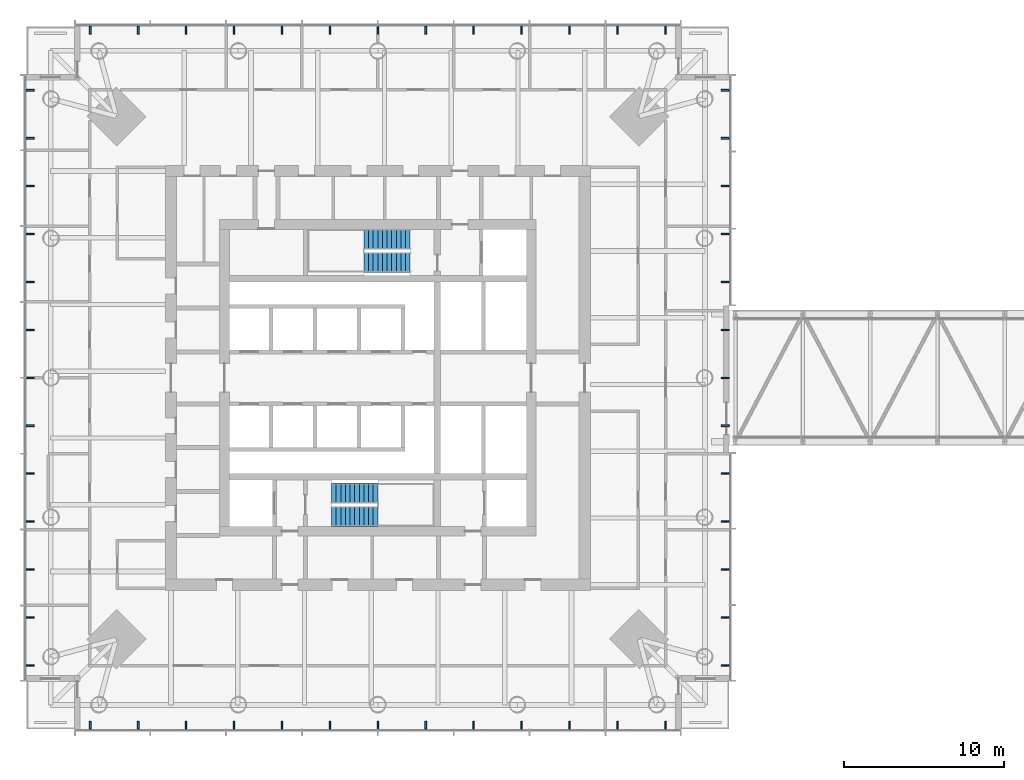
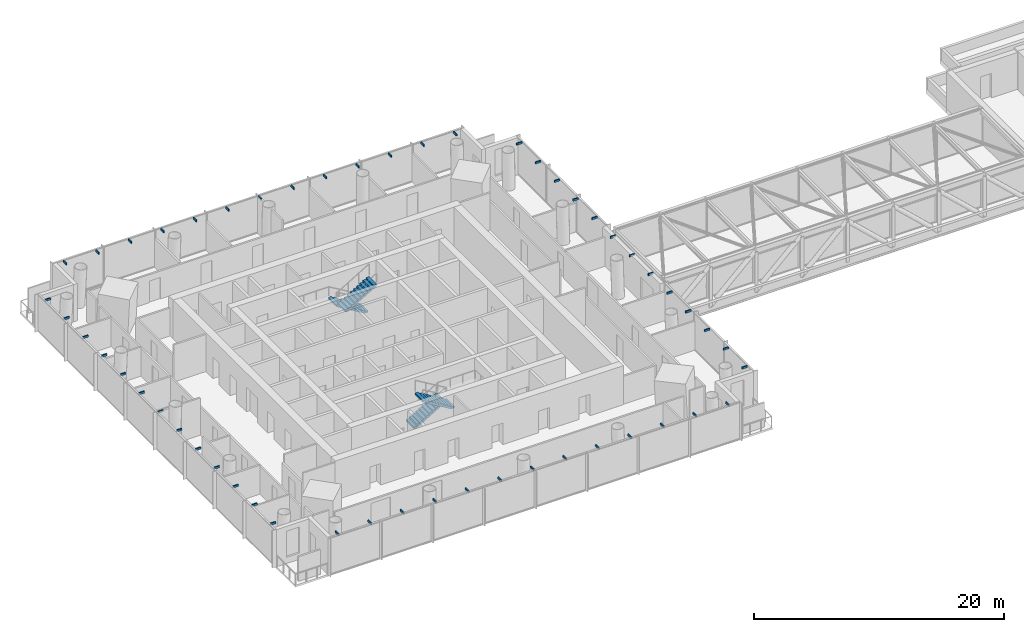
# One storey, part 18 of 19: 52 discrete accessories, 4 stair flights, 2 elements without a shape of their own.
"""IFC4 building model written with IfcOpenShell, lengths in metres."""

from ifc_helpers import new_model, si_unit, direction, frame, origin, origin_2d, place, context, subcontext, project, spatial, polyline, rectangle, outline, extrude, material, type_object, element, aggregate, save


model = new_model("IFC4")

# Units and contexts
model_context = context("Model", 3, precision=1e-05, world=origin(), true_north=direction((0.0, 1.0)))
body_context = subcontext(model_context, "Body", "Model", "MODEL_VIEW")
ifc_project = project(units=[si_unit("LENGTHUNIT", "METRE"), si_unit("AREAUNIT", "SQUARE_METRE"), si_unit("VOLUMEUNIT", "CUBIC_METRE"), si_unit("PLANEANGLEUNIT", "RADIAN"), si_unit("MASSUNIT", "GRAM", prefix="KILO")], contexts=[model_context])

# Site, building, storey
site_placement = place(None, origin())
site = spatial("IfcSite", under=ifc_project, at=site_placement, CompositionType="ELEMENT")
building_placement = place(site_placement, origin())
building = spatial("IfcBuilding", under=site, at=building_placement, Name="Ostroluk Exchange", CompositionType="ELEMENT")
storey_placement = place(building_placement, frame((0.0, 0.0, 131.199951171875)))
storey = spatial("IfcBuildingStorey", under=building, at=storey_placement, Name="L33", CompositionType="ELEMENT", Elevation=131.199951171875)

# Stair, stair flights
ifc_material_1 = material(Name="Concrete C30/37", Category="concrete")
stair_type = type_object("IfcStairType", Name="Exit stair half turn 3800", PredefinedType="HALF_TURN_STAIR", material=ifc_material_1)
stair_1_placement = place(storey_placement, origin())
stair_1 = element("IfcStair", 1, at=stair_1_placement, inside=storey, type_object=stair_type, Name="Stair T1-S1 L33", PredefinedType="HALF_TURN_STAIR")
ifc_material_2 = material(Name="Concrete C30/37", Category="concrete")
stair_flight_type = type_object("IfcStairFlightType", Name="Stair flight 11 risers 172.7 x 290", PredefinedType="STRAIGHT", material=ifc_material_2)
stair_flight_1_placement = place(storey_placement, frame((42.10009765625, 38.77490234375, 0.0), z_axis=(0.0, 0.0, 1.0), x_axis=(1.0, 0.0, 0.0)))
stair_flight_1 = element("IfcStairFlight", 2, at=stair_flight_1_placement, type_object=stair_flight_type, Name="T1-S1 flight 1", NumberOfRisers=11, NumberOfTreads=10, PredefinedType="STRAIGHT", RiserHeight=0.172727273, TreadLength=0.29, context=body_context, shape_type="SweptSolid", body=[
    extrude(outline(polyline([(0.0, 0.0), (0.0, 0.172607421875), (0.2900390625, 0.172607421875), (0.2900390625, 0.345458984375), (0.580078125, 0.345458984375), (0.580078125, 0.51806640625), (0.8701171875, 0.51806640625), (0.8701171875, 0.69091796875), (1.159912109375, 0.69091796875), (1.159912109375, 0.863525390625), (1.449951171875, 0.863525390625), (1.449951171875, 1.036376953125), (1.739990234375, 1.036376953125), (1.739990234375, 1.208984375), (2.030029296875, 1.208984375), (2.030029296875, 1.3818359375), (2.320068359375, 1.3818359375), (2.320068359375, 1.554443359375), (2.610107421875, 1.554443359375), (2.610107421875, 1.727294921875), (2.89990234375, 1.727294921875), (2.89990234375, 1.89990234375), (2.89990234375, 1.552734375), (0.29296875, 0.0), (0.0, 0.0)])), frame((0.0, 0.625, 0.0), z_axis=(0.0, -1.0, 0.0), x_axis=(1.0, 0.0, 0.0)), (0.0, 0.0, 1.0), 1.25),
])
stair_flight_2_placement = place(storey_placement, frame((45.0, 37.324951171875, 1.900146484375), z_axis=(0.0, 0.0, 1.0), x_axis=(-1.0, 0.0, 0.0)))
stair_flight_2 = element("IfcStairFlight", 3, at=stair_flight_2_placement, type_object=stair_flight_type, Name="T1-S1 flight 2", NumberOfRisers=11, NumberOfTreads=10, PredefinedType="STRAIGHT", RiserHeight=0.172727273, TreadLength=0.29, context=body_context, shape_type="SweptSolid", body=[
    extrude(outline(polyline([(0.0, 0.0), (0.0, 0.172607421875), (0.2900390625, 0.172607421875), (0.2900390625, 0.345458984375), (0.580078125, 0.345458984375), (0.580078125, 0.51806640625), (0.8701171875, 0.51806640625), (0.8701171875, 0.69091796875), (1.159912109375, 0.69091796875), (1.159912109375, 0.863525390625), (1.449951171875, 0.863525390625), (1.449951171875, 1.036376953125), (1.739990234375, 1.036376953125), (1.739990234375, 1.208984375), (2.030029296875, 1.208984375), (2.030029296875, 1.3818359375), (2.320068359375, 1.3818359375), (2.320068359375, 1.554443359375), (2.610107421875, 1.554443359375), (2.610107421875, 1.727294921875), (2.89990234375, 1.727294921875), (2.89990234375, 1.89990234375), (2.89990234375, 1.552734375), (0.29296875, 0.0), (0.0, 0.0)])), frame((0.0, 0.625, 0.0), z_axis=(0.0, -1.0, 0.0), x_axis=(1.0, 0.0, 0.0)), (0.0, 0.0, 1.0), 1.25),
])
aggregate(stair_1, [stair_flight_1, stair_flight_2])

stair_2_placement = place(storey_placement, origin())
stair_2 = element("IfcStair", 4, at=stair_2_placement, inside=storey, type_object=stair_type, Name="Stair T1-S2 L33", PredefinedType="HALF_TURN_STAIR")
stair_flight_3_placement = place(storey_placement, frame((47.030029296875, 54.675048828125, 0.0), z_axis=(0.0, 0.0, 1.0), x_axis=(-1.0, 0.0, 0.0)))
stair_flight_3 = element("IfcStairFlight", 5, at=stair_flight_3_placement, type_object=stair_flight_type, Name="T1-S2 flight 1", NumberOfRisers=11, NumberOfTreads=10, PredefinedType="STRAIGHT", RiserHeight=0.172727273, TreadLength=0.29, context=body_context, shape_type="SweptSolid", body=[
    extrude(outline(polyline([(0.0, 0.0), (0.0, 0.172607421875), (0.2900390625, 0.172607421875), (0.2900390625, 0.345458984375), (0.580078125, 0.345458984375), (0.580078125, 0.51806640625), (0.8701171875, 0.51806640625), (0.8701171875, 0.69091796875), (1.159912109375, 0.69091796875), (1.159912109375, 0.863525390625), (1.449951171875, 0.863525390625), (1.449951171875, 1.036376953125), (1.739990234375, 1.036376953125), (1.739990234375, 1.208984375), (2.030029296875, 1.208984375), (2.030029296875, 1.3818359375), (2.320068359375, 1.3818359375), (2.320068359375, 1.554443359375), (2.610107421875, 1.554443359375), (2.610107421875, 1.727294921875), (2.89990234375, 1.727294921875), (2.89990234375, 1.89990234375), (2.89990234375, 1.552734375), (0.29296875, 0.0), (0.0, 0.0)])), frame((0.0, 0.625, 0.0), z_axis=(0.0, -1.0, 0.0), x_axis=(1.0, 0.0, 0.0)), (0.0, 0.0, 1.0), 1.25),
])
stair_flight_4_placement = place(storey_placement, frame((44.1298828125, 53.22509765625, 1.900146484375), z_axis=(0.0, 0.0, 1.0), x_axis=(1.0, 0.0, 0.0)))
stair_flight_4 = element("IfcStairFlight", 6, at=stair_flight_4_placement, type_object=stair_flight_type, Name="T1-S2 flight 2", NumberOfRisers=11, NumberOfTreads=10, PredefinedType="STRAIGHT", RiserHeight=0.172727273, TreadLength=0.29, context=body_context, shape_type="SweptSolid", body=[
    extrude(outline(polyline([(0.0, 0.0), (0.0, 0.172607421875), (0.2900390625, 0.172607421875), (0.2900390625, 0.345458984375), (0.580078125, 0.345458984375), (0.580078125, 0.51806640625), (0.8701171875, 0.51806640625), (0.8701171875, 0.69091796875), (1.159912109375, 0.69091796875), (1.159912109375, 0.863525390625), (1.449951171875, 0.863525390625), (1.449951171875, 1.036376953125), (1.739990234375, 1.036376953125), (1.739990234375, 1.208984375), (2.030029296875, 1.208984375), (2.030029296875, 1.3818359375), (2.320068359375, 1.3818359375), (2.320068359375, 1.554443359375), (2.610107421875, 1.554443359375), (2.610107421875, 1.727294921875), (2.89990234375, 1.727294921875), (2.89990234375, 1.89990234375), (2.89990234375, 1.552734375), (0.29296875, 0.0), (0.0, 0.0)])), frame((0.0, 0.625, 0.0), z_axis=(0.0, -1.0, 0.0), x_axis=(1.0, 0.0, 0.0)), (0.0, 0.0, 1.0), 1.25),
])
aggregate(stair_2, [stair_flight_3, stair_flight_4])

# Discrete accessories
ifc_material_3 = material(Name="Steel S355", Category="steel")
discrete_accessory_type = type_object("IfcDiscreteAccessoryType", Name="Maintenance roof bracket", PredefinedType="BRACKET", material=ifc_material_3)
for number, where, z_axis, x_axis, name in (
    (7, (27.0, 24.25, 3.4501953125), (0.0, 0.0, 1.0), (1.0, 0.0, 0.0), "Maintenance roof bracket L34 south 1"),
    (8, (30.0, 24.25, 3.4501953125), (0.0, 0.0, 1.0), (1.0, 0.0, 0.0), "Maintenance roof bracket L34 south 2"),
    (9, (33.0, 24.25, 3.4501953125), (0.0, 0.0, 1.0), (1.0, 0.0, 0.0), "Maintenance roof bracket L34 south 3"),
    (10, (36.0, 24.25, 3.4501953125), (0.0, 0.0, 1.0), (1.0, 0.0, 0.0), "Maintenance roof bracket L34 south 4"),
    (11, (39.0, 24.25, 3.4501953125), (0.0, 0.0, 1.0), (1.0, 0.0, 0.0), "Maintenance roof bracket L34 south 5"),
    (12, (42.0, 24.25, 3.4501953125), (0.0, 0.0, 1.0), (1.0, 0.0, 0.0), "Maintenance roof bracket L34 south 6"),
    (13, (45.0, 24.25, 3.4501953125), (0.0, 0.0, 1.0), (1.0, 0.0, 0.0), "Maintenance roof bracket L34 south 7"),
    (14, (48.0, 24.25, 3.4501953125), (0.0, 0.0, 1.0), (1.0, 0.0, 0.0), "Maintenance roof bracket L34 south 8"),
    (15, (51.0, 24.25, 3.4501953125), (0.0, 0.0, 1.0), (1.0, 0.0, 0.0), "Maintenance roof bracket L34 south 9"),
    (16, (54.0, 24.25, 3.4501953125), (0.0, 0.0, 1.0), (1.0, 0.0, 0.0), "Maintenance roof bracket L34 south 10"),
    (17, (57.0, 24.25, 3.4501953125), (0.0, 0.0, 1.0), (1.0, 0.0, 0.0), "Maintenance roof bracket L34 south 11"),
    (18, (60.0, 24.25, 3.4501953125), (0.0, 0.0, 1.0), (1.0, 0.0, 0.0), "Maintenance roof bracket L34 south 12"),
    (19, (63.0, 24.25, 3.4501953125), (0.0, 0.0, 1.0), (1.0, 0.0, 0.0), "Maintenance roof bracket L34 south 13"),
):
    element("IfcDiscreteAccessory", number, at=place(storey_placement, frame(where, z_axis=z_axis, x_axis=x_axis)), inside=storey, type_object=discrete_accessory_type, Name=name, PredefinedType="BRACKET", context=body_context, shape_type="SweptSolid", body=[
        extrude(rectangle(XDim=0.10009765625, YDim=0.5, at=origin_2d()), origin(), (0.0, 0.0, 1.0), 0.199951171875),
    ])
for number, where, z_axis, x_axis, name in (
    (20, (66.75, 28.0, 3.4501953125), (0.0, 0.0, 1.0), (1.0, 0.0, 0.0), "Maintenance roof bracket L34 east 1"),
    (21, (66.75, 31.0, 3.4501953125), (0.0, 0.0, 1.0), (1.0, 0.0, 0.0), "Maintenance roof bracket L34 east 2"),
    (22, (66.75, 34.0, 3.4501953125), (0.0, 0.0, 1.0), (1.0, 0.0, 0.0), "Maintenance roof bracket L34 east 3"),
    (23, (66.75, 37.0, 3.4501953125), (0.0, 0.0, 1.0), (1.0, 0.0, 0.0), "Maintenance roof bracket L34 east 4"),
    (24, (66.75, 40.0, 3.4501953125), (0.0, 0.0, 1.0), (1.0, 0.0, 0.0), "Maintenance roof bracket L34 east 5"),
    (25, (66.75, 43.0, 3.4501953125), (0.0, 0.0, 1.0), (1.0, 0.0, 0.0), "Maintenance roof bracket L34 east 6"),
    (26, (66.75, 46.0, 3.4501953125), (0.0, 0.0, 1.0), (1.0, 0.0, 0.0), "Maintenance roof bracket L34 east 7"),
    (27, (66.75, 49.0, 3.4501953125), (0.0, 0.0, 1.0), (1.0, 0.0, 0.0), "Maintenance roof bracket L34 east 8"),
    (28, (66.75, 52.0, 3.4501953125), (0.0, 0.0, 1.0), (1.0, 0.0, 0.0), "Maintenance roof bracket L34 east 9"),
    (29, (66.75, 55.0, 3.4501953125), (0.0, 0.0, 1.0), (1.0, 0.0, 0.0), "Maintenance roof bracket L34 east 10"),
    (30, (66.75, 58.0, 3.4501953125), (0.0, 0.0, 1.0), (1.0, 0.0, 0.0), "Maintenance roof bracket L34 east 11"),
    (31, (66.75, 61.0, 3.4501953125), (0.0, 0.0, 1.0), (1.0, 0.0, 0.0), "Maintenance roof bracket L34 east 12"),
    (32, (66.75, 64.0, 3.4501953125), (0.0, 0.0, 1.0), (1.0, 0.0, 0.0), "Maintenance roof bracket L34 east 13"),
):
    element("IfcDiscreteAccessory", number, at=place(storey_placement, frame(where, z_axis=z_axis, x_axis=x_axis)), inside=storey, type_object=discrete_accessory_type, Name=name, PredefinedType="BRACKET", context=body_context, shape_type="SweptSolid", body=[
        extrude(rectangle(XDim=0.5, YDim=0.10009765625, at=origin_2d()), origin(), (0.0, 0.0, 1.0), 0.199951171875),
    ])
for number, where, z_axis, x_axis, name in (
    (33, (27.0, 67.75, 3.4501953125), (0.0, 0.0, 1.0), (1.0, 0.0, 0.0), "Maintenance roof bracket L34 north 1"),
    (34, (30.0, 67.75, 3.4501953125), (0.0, 0.0, 1.0), (1.0, 0.0, 0.0), "Maintenance roof bracket L34 north 2"),
    (35, (33.0, 67.75, 3.4501953125), (0.0, 0.0, 1.0), (1.0, 0.0, 0.0), "Maintenance roof bracket L34 north 3"),
    (36, (36.0, 67.75, 3.4501953125), (0.0, 0.0, 1.0), (1.0, 0.0, 0.0), "Maintenance roof bracket L34 north 4"),
    (37, (39.0, 67.75, 3.4501953125), (0.0, 0.0, 1.0), (1.0, 0.0, 0.0), "Maintenance roof bracket L34 north 5"),
    (38, (42.0, 67.75, 3.4501953125), (0.0, 0.0, 1.0), (1.0, 0.0, 0.0), "Maintenance roof bracket L34 north 6"),
    (39, (45.0, 67.75, 3.4501953125), (0.0, 0.0, 1.0), (1.0, 0.0, 0.0), "Maintenance roof bracket L34 north 7"),
    (40, (48.0, 67.75, 3.4501953125), (0.0, 0.0, 1.0), (1.0, 0.0, 0.0), "Maintenance roof bracket L34 north 8"),
    (41, (51.0, 67.75, 3.4501953125), (0.0, 0.0, 1.0), (1.0, 0.0, 0.0), "Maintenance roof bracket L34 north 9"),
    (42, (54.0, 67.75, 3.4501953125), (0.0, 0.0, 1.0), (1.0, 0.0, 0.0), "Maintenance roof bracket L34 north 10"),
    (43, (57.0, 67.75, 3.4501953125), (0.0, 0.0, 1.0), (1.0, 0.0, 0.0), "Maintenance roof bracket L34 north 11"),
    (44, (60.0, 67.75, 3.4501953125), (0.0, 0.0, 1.0), (1.0, 0.0, 0.0), "Maintenance roof bracket L34 north 12"),
    (45, (63.0, 67.75, 3.4501953125), (0.0, 0.0, 1.0), (1.0, 0.0, 0.0), "Maintenance roof bracket L34 north 13"),
):
    element("IfcDiscreteAccessory", number, at=place(storey_placement, frame(where, z_axis=z_axis, x_axis=x_axis)), inside=storey, type_object=discrete_accessory_type, Name=name, PredefinedType="BRACKET", context=body_context, shape_type="SweptSolid", body=[
        extrude(rectangle(XDim=0.10009765625, YDim=0.5, at=origin_2d()), origin(), (0.0, 0.0, 1.0), 0.199951171875),
    ])
for number, where, z_axis, x_axis, name in (
    (46, (23.25, 28.0, 3.4501953125), (0.0, 0.0, 1.0), (1.0, 0.0, 0.0), "Maintenance roof bracket L34 west 1"),
    (47, (23.25, 31.0, 3.4501953125), (0.0, 0.0, 1.0), (1.0, 0.0, 0.0), "Maintenance roof bracket L34 west 2"),
    (48, (23.25, 34.0, 3.4501953125), (0.0, 0.0, 1.0), (1.0, 0.0, 0.0), "Maintenance roof bracket L34 west 3"),
    (49, (23.25, 37.0, 3.4501953125), (0.0, 0.0, 1.0), (1.0, 0.0, 0.0), "Maintenance roof bracket L34 west 4"),
    (50, (23.25, 40.0, 3.4501953125), (0.0, 0.0, 1.0), (1.0, 0.0, 0.0), "Maintenance roof bracket L34 west 5"),
    (51, (23.25, 43.0, 3.4501953125), (0.0, 0.0, 1.0), (1.0, 0.0, 0.0), "Maintenance roof bracket L34 west 6"),
    (52, (23.25, 46.0, 3.4501953125), (0.0, 0.0, 1.0), (1.0, 0.0, 0.0), "Maintenance roof bracket L34 west 7"),
    (53, (23.25, 49.0, 3.4501953125), (0.0, 0.0, 1.0), (1.0, 0.0, 0.0), "Maintenance roof bracket L34 west 8"),
    (54, (23.25, 52.0, 3.4501953125), (0.0, 0.0, 1.0), (1.0, 0.0, 0.0), "Maintenance roof bracket L34 west 9"),
    (55, (23.25, 55.0, 3.4501953125), (0.0, 0.0, 1.0), (1.0, 0.0, 0.0), "Maintenance roof bracket L34 west 10"),
    (56, (23.25, 58.0, 3.4501953125), (0.0, 0.0, 1.0), (1.0, 0.0, 0.0), "Maintenance roof bracket L34 west 11"),
    (57, (23.25, 61.0, 3.4501953125), (0.0, 0.0, 1.0), (1.0, 0.0, 0.0), "Maintenance roof bracket L34 west 12"),
    (58, (23.25, 64.0, 3.4501953125), (0.0, 0.0, 1.0), (1.0, 0.0, 0.0), "Maintenance roof bracket L34 west 13"),
):
    element("IfcDiscreteAccessory", number, at=place(storey_placement, frame(where, z_axis=z_axis, x_axis=x_axis)), inside=storey, type_object=discrete_accessory_type, Name=name, PredefinedType="BRACKET", context=body_context, shape_type="SweptSolid", body=[
        extrude(rectangle(XDim=0.5, YDim=0.10009765625, at=origin_2d()), origin(), (0.0, 0.0, 1.0), 0.199951171875),
    ])

save(model, "model.ifc")
